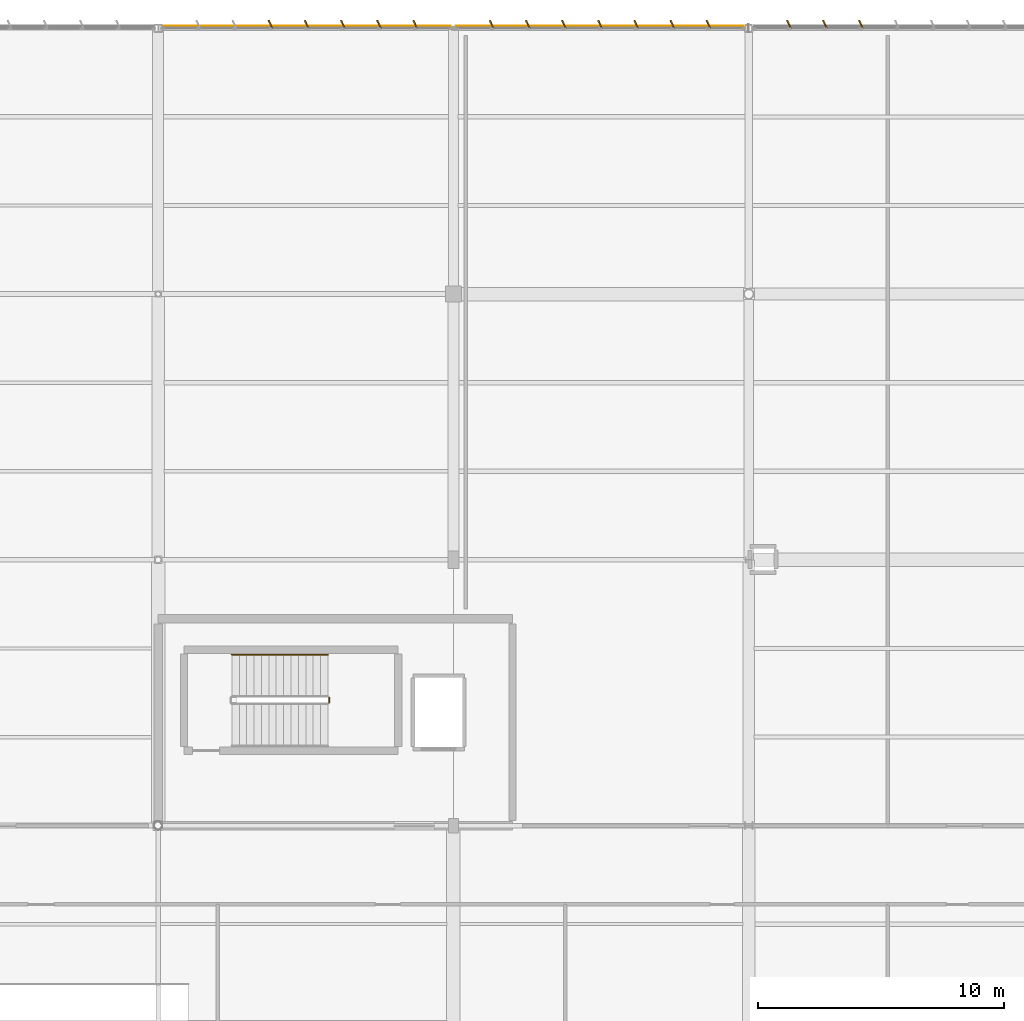
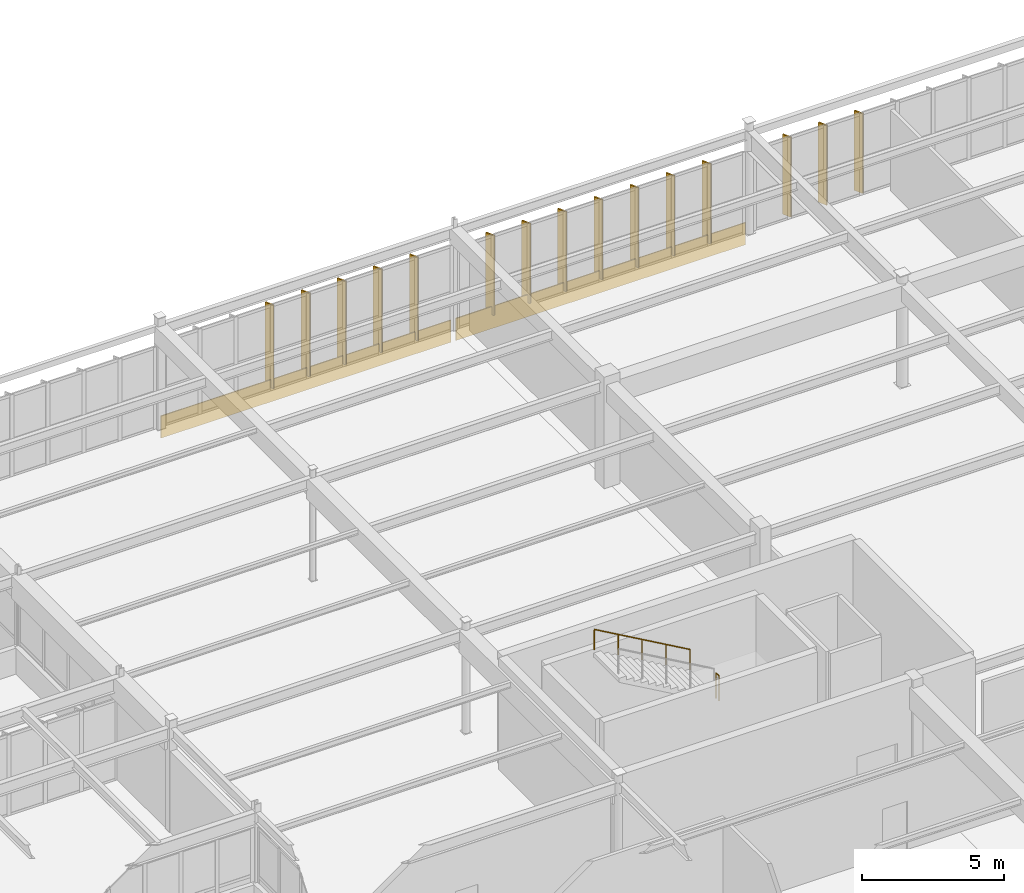
# One storey, part 225 of 226: 15 shading devices, 2 coverings, 2 railings.
"""IFC4 building model written with IfcOpenShell, lengths in metres."""

from ifc_helpers import new_model, si_unit, direction, frame, origin, origin_2d, place, context, subcontext, project, spatial, rectangle, circle, extrude, material, layer, layer_set, type_object, element, save


model = new_model("IFC4")

# Units and contexts
model_context = context("Model", 3, precision=1e-05, world=origin(), true_north=direction((0.0, 1.0)))
body_context = subcontext(model_context, "Body", "Model", "MODEL_VIEW")
ifc_project = project(units=[si_unit("LENGTHUNIT", "METRE"), si_unit("AREAUNIT", "SQUARE_METRE"), si_unit("VOLUMEUNIT", "CUBIC_METRE"), si_unit("PLANEANGLEUNIT", "RADIAN"), si_unit("MASSUNIT", "GRAM", prefix="KILO")], contexts=[model_context])

# Site, building, storey
site_placement = place(None, origin())
site = spatial("IfcSite", under=ifc_project, at=site_placement, CompositionType="ELEMENT")
building_placement = place(site_placement, origin())
building = spatial("IfcBuilding", under=site, at=building_placement, Name="Tarnwether General Hospital", CompositionType="ELEMENT")
storey_placement = place(building_placement, frame((0.0, 0.0, 4.800048828125)))
storey = spatial("IfcBuildingStorey", under=building, at=storey_placement, Name="L01", CompositionType="ELEMENT", Elevation=4.800048828125)

# Coverings
ifc_material_1 = material(Name="Folded zinc-titanium cladding")
ifc_layer_1 = layer(ifc_material_1, 0.0400390625)
ifc_layer_set_1 = layer_set([ifc_layer_1], Name="Folded zinc-titanium cladding")
covering_type = type_object("IfcCoveringType", Name="CV-CLD-ZNC", PredefinedType="CLADDING", material=ifc_layer_set_1)
for number, where, z_axis, x_axis, name in (
    (1, (162.0, 126.090087890625, -0.55517578125), (0.0, 0.0, 1.0), (1.0, 0.0, 0.0), "Deconstructivist Faceted Zinc Spandrel Blade 014"),
    (2, (174.0, 126.090087890625, -0.55517578125), (0.0, 0.0, 1.0), (1.0, 0.0, 0.0), "Deconstructivist Faceted Zinc Spandrel Blade 015"),
):
    element("IfcCovering", number, at=place(storey_placement, frame(where, z_axis=z_axis, x_axis=x_axis)), inside=storey, type_object=covering_type, Name=name, PredefinedType="CLADDING", context=body_context, shape_type="SweptSolid", body=[
        extrude(rectangle(XDim=11.800048828125, YDim=0.0400390625, at=origin_2d()), origin(), (0.0, 0.0, 1.0), 0.949951171875),
    ])

# Railings
ifc_material_2 = material(Name="Anodised aluminium", Category="aluminium")
railing_type_1 = type_object("IfcRailingType", Name="RL-GRD-INT", PredefinedType="GUARDRAIL", material=ifc_material_2)
railing_1_placement = place(storey_placement, frame((162.949951171875, 98.60009765625, 2.39990234375)))
element("IfcRailing", 3, at=railing_1_placement, inside=storey, type_object=railing_type_1, Name="L01 ST-06 stair guard 2", PredefinedType="GUARDRAIL", context=body_context, shape_type="SweptSolid", body=[
    extrude(circle(Radius=0.02392578125, at=origin_2d()), frame((0.0, 0.0, 1.076171875), z_axis=(0.0, 1.0, 0.0), x_axis=(-1.0, 0.0, 0.0)), (0.0, 0.0, 1.0), 0.199951171875),
    extrude(circle(Radius=0.02099609375, at=origin_2d()), origin(), (0.0, 0.0, 1.0), 1.052001953125),
    extrude(circle(Radius=0.02099609375, at=origin_2d()), frame((0.0, 0.199951171875, 0.0)), (0.0, 0.0, 1.0), 1.052001953125),
])
ifc_material_3 = material(Name="Anodised aluminium", Category="aluminium")
railing_type_2 = type_object("IfcRailingType", Name="RL-HND-INT", PredefinedType="HANDRAIL", material=ifc_material_3)
railing_2_placement = place(storey_placement, frame((162.89990234375, 100.550048828125, 2.5712890625)))
element("IfcRailing", 4, at=railing_2_placement, inside=storey, type_object=railing_type_2, Name="L01 ST-06 stair handrail 2", PredefinedType="HANDRAIL", context=body_context, shape_type="SweptSolid", body=[
    extrude(circle(Radius=0.02392578125, at=origin_2d()), frame((0.0, 0.0, 0.8759765625), z_axis=(-0.868219727965, 0.0, 0.496179910892), x_axis=(0.0, -1.0, 0.0)), (0.0, 0.0, 1.0), 4.491943359375),
    extrude(circle(Radius=0.02099609375, at=origin_2d()), origin(), (0.0, 0.0, 1.0), 0.851806640625),
    extrude(circle(Radius=0.02099609375, at=origin_2d()), frame((-0.97509765625, 0.0, 0.55712890625)), (0.0, 0.0, 1.0), 0.851806640625),
    extrude(circle(Radius=0.02099609375, at=origin_2d()), frame((-1.949951171875, 0.0, 1.1142578125)), (0.0, 0.0, 1.0), 0.851806640625),
    extrude(circle(Radius=0.02099609375, at=origin_2d()), frame((-2.9248046875, 0.0, 1.671630859375)), (0.0, 0.0, 1.0), 0.851806640625),
    extrude(circle(Radius=0.02099609375, at=origin_2d()), frame((-3.89990234375, 0.0, 2.228759765625)), (0.0, 0.0, 1.0), 0.851806640625),
])

# Shading devices
ifc_material_4 = material(Name="Champagne-bronze anodised aluminium", Category="aluminium")
ifc_layer_2 = layer(ifc_material_4, 0.06005859375)
ifc_layer_set_2 = layer_set([ifc_layer_2], Name="Champagne-bronze anodised aluminium")
shading_device_type = type_object("IfcShadingDeviceType", Name="SH-FIN-BRZ", PredefinedType="USERDEFINED", material=ifc_layer_set_2)
for number, where, z_axis, x_axis, name in (
    (5, (160.56689453125, 126.159912109375, 0.0498046875), (0.0, 0.0, 1.0), (0.906307787037, 0.422618261741, 0.0), "Champagne-Bronze Brise-Soleil Fin 0323"),
    (6, (162.035888671875, 126.159912109375, 0.0498046875), (0.0, 0.0, 1.0), (0.906307787037, 0.422618261741, 0.0), "Champagne-Bronze Brise-Soleil Fin 0324"),
    (7, (163.506103515625, 126.159912109375, 0.0498046875), (0.0, 0.0, 1.0), (0.906307787037, 0.422618261741, 0.0), "Champagne-Bronze Brise-Soleil Fin 0325"),
    (8, (164.97607421875, 126.159912109375, 0.0498046875), (0.0, 0.0, 1.0), (0.906307787037, 0.422618261741, 0.0), "Champagne-Bronze Brise-Soleil Fin 0326"),
    (9, (166.445068359375, 126.159912109375, 0.0498046875), (0.0, 0.0, 1.0), (0.906307787037, 0.422618261741, 0.0), "Champagne-Bronze Brise-Soleil Fin 0327"),
):
    element("IfcShadingDevice", number, at=place(storey_placement, frame(where, z_axis=z_axis, x_axis=x_axis)), inside=storey, type_object=shading_device_type, Name=name, ObjectType="SOLAR FIN", PredefinedType="USERDEFINED", context=body_context, shape_type="SweptSolid", body=[
        extrude(rectangle(XDim=0.06005859375, YDim=0.360107421875, at=origin_2d()), origin(), (0.0, 0.0, 1.0), 3.580078125),
    ])
for number, where, z_axis, x_axis, name in (
    (10, (169.552978515625, 126.159912109375, 0.0498046875), (0.0, 0.0, 1.0), (0.906307787037, 0.422618261741, 0.0), "Champagne-Bronze Brise-Soleil Fin 0328"),
    (11, (171.02099609375, 126.159912109375, 0.0498046875), (0.0, 0.0, 1.0), (0.906307787037, 0.422618261741, 0.0), "Champagne-Bronze Brise-Soleil Fin 0329"),
    (12, (172.489013671875, 126.159912109375, 0.0498046875), (0.0, 0.0, 1.0), (0.906307787037, 0.422618261741, 0.0), "Champagne-Bronze Brise-Soleil Fin 0330"),
    (13, (173.9580078125, 126.159912109375, 0.0498046875), (0.0, 0.0, 1.0), (0.906307787037, 0.422618261741, 0.0), "Champagne-Bronze Brise-Soleil Fin 0331"),
    (14, (175.426025390625, 126.159912109375, 0.0498046875), (0.0, 0.0, 1.0), (0.906307787037, 0.422618261741, 0.0), "Champagne-Bronze Brise-Soleil Fin 0332"),
    (15, (176.89404296875, 126.159912109375, 0.0498046875), (0.0, 0.0, 1.0), (0.906307787037, 0.422618261741, 0.0), "Champagne-Bronze Brise-Soleil Fin 0333"),
    (16, (178.362060546875, 126.159912109375, 0.0498046875), (0.0, 0.0, 1.0), (0.906307787037, 0.422618261741, 0.0), "Champagne-Bronze Brise-Soleil Fin 0334"),
    (17, (181.632080078125, 126.159912109375, 0.0498046875), (0.0, 0.0, 1.0), (0.906307787037, 0.422618261741, 0.0), "Champagne-Bronze Brise-Soleil Fin 0335"),
    (18, (183.093994140625, 126.159912109375, 0.0498046875), (0.0, 0.0, 1.0), (0.906307787037, 0.422618261741, 0.0), "Champagne-Bronze Brise-Soleil Fin 0336"),
    (19, (184.555908203125, 126.159912109375, 0.0498046875), (0.0, 0.0, 1.0), (0.906307787037, 0.422618261741, 0.0), "Champagne-Bronze Brise-Soleil Fin 0337"),
):
    element("IfcShadingDevice", number, at=place(storey_placement, frame(where, z_axis=z_axis, x_axis=x_axis)), inside=storey, type_object=shading_device_type, Name=name, ObjectType="SOLAR FIN", PredefinedType="USERDEFINED", context=body_context, shape_type="SweptSolid", body=[
        extrude(rectangle(XDim=0.06005859375, YDim=0.360107421875, at=origin_2d()), origin(), (0.0, 0.0, 1.0), 3.429931640625),
    ])

save(model, "model.ifc")
